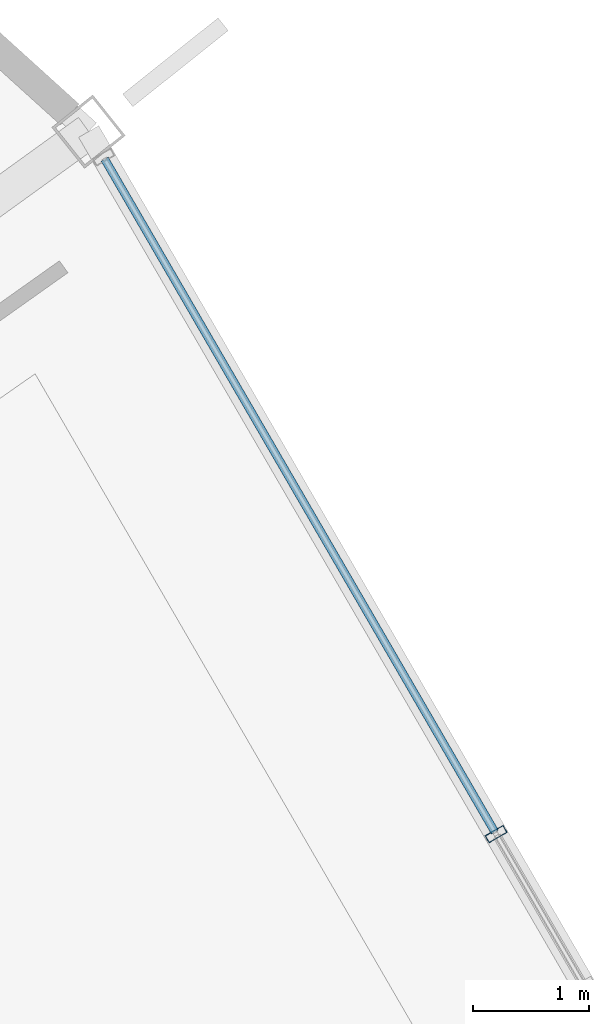
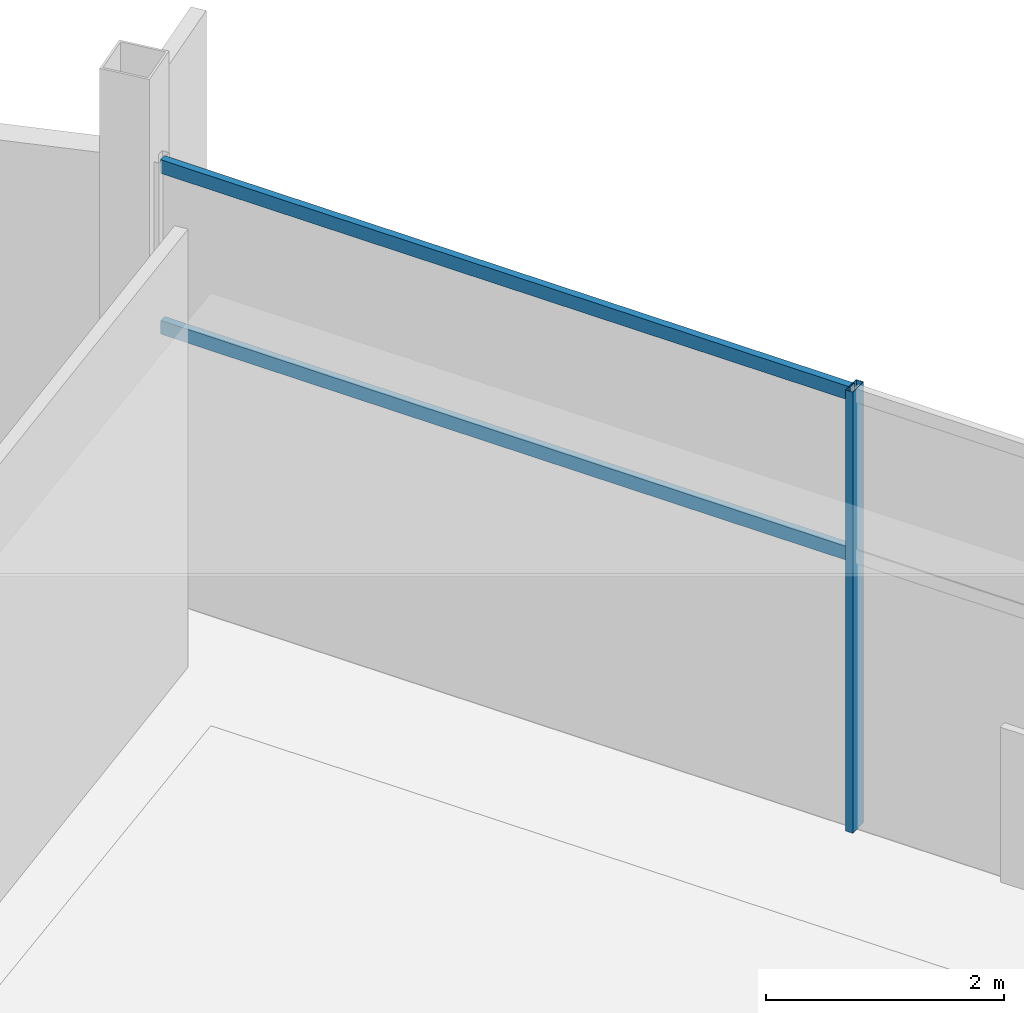
# One storey, part 115 of 186: 3 members, 1 element without a shape of its own.
"""IFC4 building model written with IfcOpenShell, lengths in metres."""

from ifc_helpers import new_model, si_unit, direction, frame, origin, origin_2d, place, context, subcontext, project, spatial, hollow_rectangle, extrude, material, layer, layer_set, material_profile, profile_set, type_object, element, aggregate, save


model = new_model("IFC4")

# Units and contexts
model_context = context("Model", 3, precision=1e-05, world=origin(), true_north=direction((0.0, 1.0)))
body_context = subcontext(model_context, "Body", "Model", "MODEL_VIEW")
ifc_project = project(units=[si_unit("LENGTHUNIT", "METRE"), si_unit("AREAUNIT", "SQUARE_METRE"), si_unit("VOLUMEUNIT", "CUBIC_METRE"), si_unit("PLANEANGLEUNIT", "RADIAN"), si_unit("MASSUNIT", "GRAM", prefix="KILO")], contexts=[model_context])

# Site, building, storey
site_placement = place(None, origin())
site = spatial("IfcSite", under=ifc_project, at=site_placement, CompositionType="ELEMENT")
building_placement = place(site_placement, origin())
building = spatial("IfcBuilding", under=site, at=building_placement, Name="Kazemori Nagisa Stadium", CompositionType="ELEMENT")
storey_placement = place(building_placement, frame((0.0, 0.0, 20.39990234375)))
storey = spatial("IfcBuildingStorey", under=building, at=storey_placement, Name="L04", CompositionType="ELEMENT", Elevation=20.39990234375)

# Curtain wall, members
ifc_material_1 = material(Name="Anodised aluminium 6063-T5", Category="aluminium")
ifc_layer = layer(ifc_material_1, 0.179931640625, Name="Anodised aluminium 6063-T5", Category="aluminium")
ifc_layer_set = layer_set([ifc_layer], Name="Anodised aluminium 6063-T5")
curtain_wall_type = type_object("IfcCurtainWallType", Name="CW_L04R3_101", PredefinedType="USERDEFINED", material=ifc_layer_set)
curtain_wall_placement = place(storey_placement, origin())
curtain_wall = element("IfcCurtainWall", 1, at=curtain_wall_placement, inside=storey, type_object=curtain_wall_type, Name="Unitised curtain wall CW-L04R3-101 L04", ObjectType="UNITISED CURTAIN WALL", PredefinedType="USERDEFINED")
ifc_material_2 = material(Name="Aluminium 6063-T5 anodised", Category="aluminium")
ifc_material_profile_1 = material_profile(ifc_material_2, hollow_rectangle(XDim=0.070068359375, YDim=0.179931640625, WallThickness=0.00390625, at=origin_2d()), Name="ALU-MULL-70x180x4")
ifc_profile_set_1 = profile_set([ifc_material_profile_1], Name="Aluminium 6063-T5 anodised")
member_type_1 = type_object("IfcMemberType", Name="Mullion_M01", PredefinedType="MULLION", material=ifc_profile_set_1)
member_1_placement = place(storey_placement, frame((205.001220703125, 152.621337890625, 0.0), z_axis=(0.0, 0.0, 1.0), x_axis=(-0.501611590054, 0.865092950337, 0.0)))
member_1 = element("IfcMember", 2, at=member_1_placement, type_object=member_type_1, Name="Curtain wall mullion CW-L04R3-101-M3", PredefinedType="MULLION", context=body_context, shape_type="SweptSolid", body=[
    extrude(hollow_rectangle(XDim=0.070068359375, YDim=0.179931640625, WallThickness=0.00390625, at=origin_2d()), origin(), (0.0, 0.0, 1.0), 4.530029296875),
])
ifc_material_profile_2 = material_profile(ifc_material_2, hollow_rectangle(XDim=0.070068359375, YDim=0.139892578125, WallThickness=0.00390625, at=origin_2d()), Name="ALU-TRAN-70x140x4")
ifc_profile_set_2 = profile_set([ifc_material_profile_2], Name="Aluminium 6063-T5 anodised")
member_type_2 = type_object("IfcMemberType", Name="Transom_T01", PredefinedType="USERDEFINED", material=ifc_profile_set_2)
member_2_placement = place(storey_placement, frame((204.9912109375, 152.638671875, 2.80859375), z_axis=(-0.50161984125, 0.865088165948, 0.0), x_axis=(-0.865088165948, -0.50161984125, 0.0)))
member_2 = element("IfcMember", 3, at=member_2_placement, type_object=member_type_2, Name="Curtain wall transom CW-L04R3-101-T3-mid", ObjectType="TRANSOM", PredefinedType="USERDEFINED", context=body_context, shape_type="SweptSolid", body=[
    extrude(hollow_rectangle(XDim=0.070068359375, YDim=0.139892578125, WallThickness=0.00390625, at=origin_2d()), origin(), (0.0, 0.0, 1.0), 6.694091796875),
])
member_3_placement = place(storey_placement, frame((204.9912109375, 152.638671875, 4.460205078125), z_axis=(-0.50161984125, 0.865088165948, 0.0), x_axis=(-0.865088165948, -0.50161984125, 0.0)))
member_3 = element("IfcMember", 4, at=member_3_placement, type_object=member_type_2, Name="Curtain wall transom CW-L04R3-101-T3-head", ObjectType="TRANSOM", PredefinedType="USERDEFINED", context=body_context, shape_type="SweptSolid", body=[
    extrude(hollow_rectangle(XDim=0.070068359375, YDim=0.139892578125, WallThickness=0.00390625, at=origin_2d()), origin(), (0.0, 0.0, 1.0), 6.694091796875),
])
aggregate(curtain_wall, [member_1, member_2, member_3])

save(model, "model.ifc")
